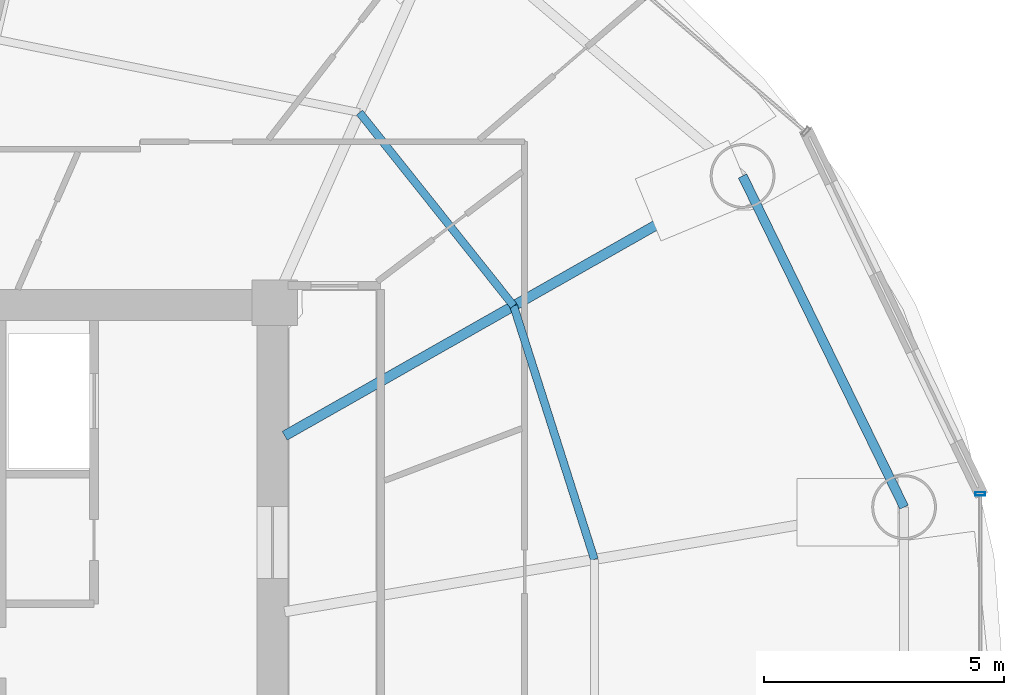
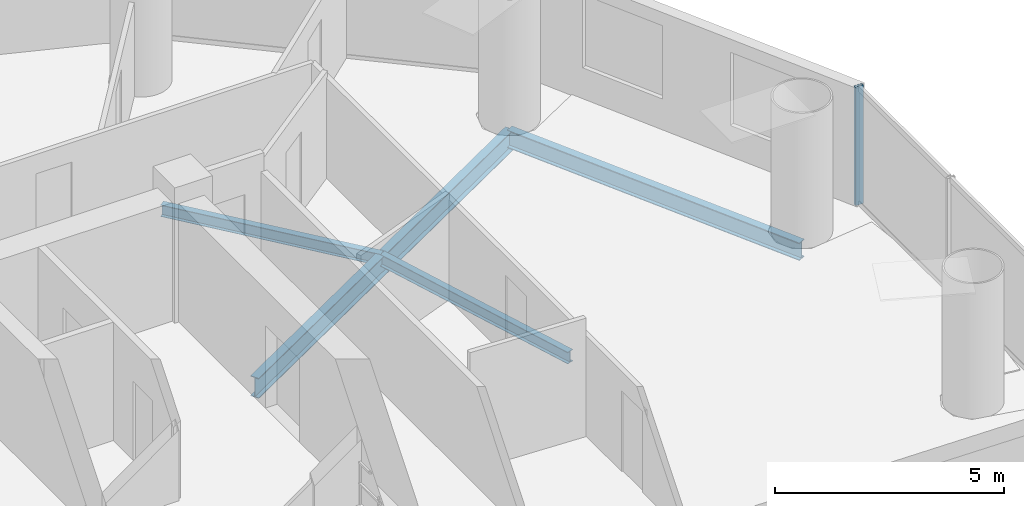
# One storey, part 13 of 26: 4 beams, 1 member, 1 element without a shape of its own.
"""IFC4 building model written with IfcOpenShell, lengths in metres."""

from ifc_helpers import new_model, si_unit, direction, frame, origin, origin_2d, place, context, subcontext, project, spatial, hollow_rectangle, i_section, extrude, source, transform, mapped, material, material_profile, profile_set, type_object, element, aggregate, save


model = new_model("IFC4")

# Units and contexts
model_context = context("Model", 3, precision=1e-05, world=origin(), true_north=direction((-0.2419218956, 0.970295726276)))
body_context = subcontext(model_context, "Body", "Model", "MODEL_VIEW")
ifc_project = project(units=[si_unit("LENGTHUNIT", "METRE"), si_unit("AREAUNIT", "SQUARE_METRE"), si_unit("VOLUMEUNIT", "CUBIC_METRE"), si_unit("PLANEANGLEUNIT", "RADIAN"), si_unit("MASSUNIT", "GRAM", prefix="KILO")], contexts=[model_context])

# Site, building, storey
site_placement = place(None, origin())
site = spatial("IfcSite", under=ifc_project, at=site_placement, CompositionType="ELEMENT")
building_placement = place(site_placement, origin())
building = spatial("IfcBuilding", under=site, at=building_placement, Name="Cobrevalo Terracotta Tower", CompositionType="ELEMENT")
storey_placement = place(building_placement, frame((0.0, 0.0, 182.199951171875)))
storey = spatial("IfcBuildingStorey", under=building, at=storey_placement, Name="L48", CompositionType="ELEMENT", Elevation=182.199951171875)

# Beams
ifc_material_1 = material(Name="Steel S355", Category="steel")
ifc_material_profile_1 = material_profile(ifc_material_1, i_section(OverallWidth=0.2109375, OverallDepth=0.5390625, WebThickness=0.01171875, FlangeThickness=0.018798828125, at=origin_2d()), Name="W 530x109")
ifc_profile_set_1 = profile_set([ifc_material_profile_1], Name="Steel S355")
beam_type_1 = type_object("IfcBeamType", Name="Structural Beam W 530x109 (Steel S355)", PredefinedType="BEAM", material=ifc_profile_set_1)
beam_1_placement = place(storey_placement, frame((56.749755859375, 37.439208984375, -0.53955078125), z_axis=(-0.869734177783, -0.493520475762, 0.0), x_axis=(0.493520475762, -0.869734177783, 0.0)))
element("IfcBeam", 1, at=beam_1_placement, inside=storey, type_object=beam_type_1, Name="L48 radial floor girder 02", PredefinedType="BEAM", context=body_context, shape_type="SweptSolid", body=[
    extrude(i_section(OverallWidth=0.2109375, OverallDepth=0.5390625, WebThickness=0.01171875, FlangeThickness=0.018798828125, at=origin_2d()), origin(), (0.0, 0.0, 1.0), 10.974365234375),
])
ifc_material_profile_2 = material_profile(ifc_material_1, i_section(OverallWidth=0.1650390625, OverallDepth=0.31005859375, WebThickness=0.005859375, FlangeThickness=0.009765625, at=origin_2d()), Name="W 310x38.7")
ifc_profile_set_2 = profile_set([ifc_material_profile_2], Name="Steel S355")
beam_type_2 = type_object("IfcBeamType", Name="Structural Joist W 310x38.7 (Steel S355)", PredefinedType="JOIST", material=ifc_profile_set_2)
beam_2_placement = place(storey_placement, frame((53.660888671875, 29.445556640625, -0.425048828125), z_axis=(-0.303497928386, 0.952832098255, 0.0), x_axis=(-0.952832098255, -0.303497928386, 0.0)))
element("IfcBeam", 2, at=beam_2_placement, inside=storey, type_object=beam_type_2, Name="L48 circumferential secondary floor joist 01", PredefinedType="JOIST", context=body_context, shape_type="SweptSolid", body=[
    extrude(i_section(OverallWidth=0.1650390625, OverallDepth=0.31005859375, WebThickness=0.005859375, FlangeThickness=0.009765625, at=origin_2d()), origin(), (0.0, 0.0, 1.0), 5.54736328125),
])
beam_3_placement = place(storey_placement, frame((51.977294921875, 34.731201171875, -0.425048828125), z_axis=(-0.62340602772, 0.781898282773, 0.0), x_axis=(-0.781898282773, -0.62340602772, 0.0)))
element("IfcBeam", 3, at=beam_3_placement, inside=storey, type_object=beam_type_2, Name="L48 circumferential secondary floor joist 02", PredefinedType="JOIST", context=body_context, shape_type="SweptSolid", body=[
    extrude(i_section(OverallWidth=0.1650390625, OverallDepth=0.31005859375, WebThickness=0.005859375, FlangeThickness=0.009765625, at=origin_2d()), origin(), (0.0, 0.0, 1.0), 5.154052734375),
])
ifc_material_profile_3 = material_profile(ifc_material_1, i_section(OverallWidth=0.194091796875, OverallDepth=0.468994140625, WebThickness=0.011474609375, FlangeThickness=0.0205078125, at=origin_2d()), Name="W 460x106")
ifc_profile_set_3 = profile_set([ifc_material_profile_3], Name="Steel S355")
beam_type_3 = type_object("IfcBeamType", Name="Structural Spandrel W 460x106 (Steel S355)", PredefinedType="SPANDREL", material=ifc_profile_set_3)
beam_4_placement = place(storey_placement, frame((60.11669921875, 30.535888671875, -0.50439453125), z_axis=(-0.438367894028, 0.89879563277, 0.0), x_axis=(-0.89879563277, -0.438367894028, 0.0)))
element("IfcBeam", 4, at=beam_4_placement, inside=storey, type_object=beam_type_3, Name="L48 perimeter ring spandrel 01", PredefinedType="SPANDREL", context=body_context, shape_type="SweptSolid", body=[
    extrude(i_section(OverallWidth=0.194091796875, OverallDepth=0.468994140625, WebThickness=0.011474609375, FlangeThickness=0.0205078125, at=origin_2d()), origin(), (0.0, 0.0, 1.0), 7.6806640625),
])

# Curtain wall, member
ifc_material_2 = material(Name="Anodized aluminium", Category="aluminium")
curtain_wall_type = type_object("IfcCurtainWallType", Name="Mid-tower high-wind unitised curtain wall CW-U2", PredefinedType="NOTDEFINED", material=ifc_material_2)
curtain_wall_placement = place(storey_placement, origin())
curtain_wall = element("IfcCurtainWall", 5, at=curtain_wall_placement, inside=storey, type_object=curtain_wall_type, Name="L48 curtain wall CW-L48-S16", PredefinedType="NOTDEFINED")
ifc_material_profile_4 = material_profile(ifc_material_2, hollow_rectangle(XDim=0.074951171875, YDim=0.199951171875, WallThickness=0.0048828125, at=origin_2d()), Name="CWM 75x200")
ifc_profile_set_4 = profile_set([ifc_material_profile_4], Name="Anodized aluminium")
member_type = type_object("IfcMemberType", Name="Lower/mid tower unitised mullion 75x200", PredefinedType="MULLION", material=ifc_profile_set_4)
shared_shape = source(origin(), body_context, "Body", "SweptSolid", [
    extrude(hollow_rectangle(XDim=0.074951171875, YDim=0.199951171875, WallThickness=0.0048828125, at=origin_2d()), origin(), (0.0, 0.0, 1.0), 3.150146484375),
])
member_placement = place(storey_placement, frame((61.70556640625, 30.81201171875, 0.0), z_axis=(0.0, 0.0, 1.0), x_axis=(0.0, 1.0, 0.0)))
member = element("IfcMember", 6, at=member_placement, type_object=member_type, Name="CW-L48-S16 vertical mullion 03", PredefinedType="MULLION", context=body_context, shape_type="MappedRepresentation", body=[
    mapped(shared_shape, transform((0.0, 0.0, 0.0), scale=1.0)),
])
aggregate(curtain_wall, [member])

save(model, "model.ifc")
